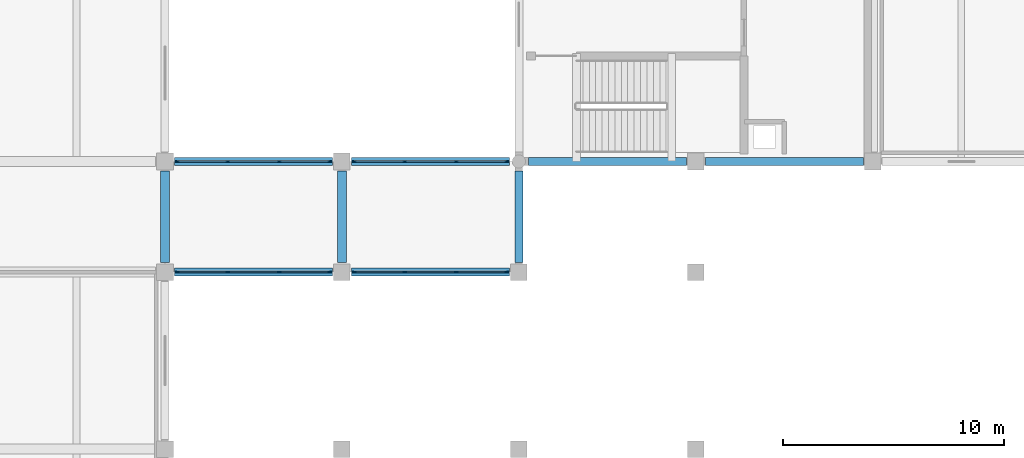
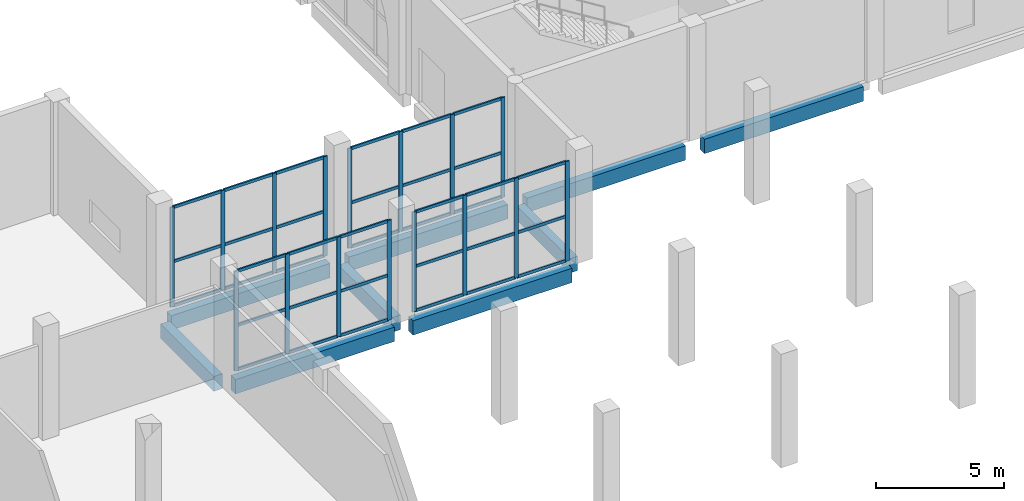
# One storey, part 5 of 40: 52 members, 9 beams, 4 elements without a shape of their own.
"""IFC4 building model written with IfcOpenShell, lengths in metres."""

import ifcopenshell
import ifcopenshell.guid

model = None  # the IFC model being written
_history = None  # IfcOwnerHistory: only IFC2X3 demands one
_inside = {}  # id of a spatial element -> (the spatial element, [elements in it])
_under = {}  # id of a project, library or spatial element -> (it, [spatial elements below it])
_declared = {}  # id of a project -> (the project, [libraries it declares])
_typed = {}  # id of a type object -> (the type object, [elements of that type])
_made_of = {}  # id of a material, layer set ... -> (it, [elements and type objects made of it])


def new_model(schema):
    """Start an empty IFC model of exactly this schema.

    Asked for "IFC4X3", IfcOpenShell would pick the latest addendum, in which some entities
    have other attributes; the version numbers below select the first issue.
    IFC2X3 requires an IfcOwnerHistory on every rooted entity: one is made here for all.
    """
    global model, _history
    if schema == "IFC4X3":
        model = ifcopenshell.file(schema_version=(4, 3, 0, 0))
    else:
        model = ifcopenshell.file(schema=schema)
    _inside.clear()
    _under.clear()
    _declared.clear()
    _typed.clear()
    _made_of.clear()
    _history = None
    if model.schema == "IFC2X3":
        org = make("IfcOrganization", Name="unknown")
        user = make(
            "IfcPersonAndOrganization",
            ThePerson=make("IfcPerson", FamilyName="unknown"),
            TheOrganization=org,
        )
        app = make(
            "IfcApplication",
            ApplicationDeveloper=org,
            Version="unknown",
            ApplicationFullName="unknown",
            ApplicationIdentifier="unknown",
        )
        _history = make(
            "IfcOwnerHistory",
            OwningUser=user,
            OwningApplication=app,
            ChangeAction="ADDED",
            CreationDate=0,
        )
    return model


def make(cls, **values):
    """One entity of the class cls with the attributes given. An attribute that is None is left unset."""
    return model.create_entity(
        cls, **{name: value for name, value in values.items() if value is not None}
    )


def rooted(cls, **values):
    """An entity with a GlobalId (a new one), such as an element, a storey or a relation."""
    return make(cls, GlobalId=ifcopenshell.guid.new(), OwnerHistory=_history, **values)


def si_unit(unit_type, name, prefix=None):
    """IfcSIUnit, for example si_unit("LENGTHUNIT", "METRE", prefix="MILLI")."""
    return make("IfcSIUnit", UnitType=unit_type, Prefix=prefix, Name=name)


def assignment(units):
    """IfcUnitAssignment: the units of a project."""
    return None if units is None else make("IfcUnitAssignment", Units=units)


def point(xyz):
    """IfcCartesianPoint."""
    return None if xyz is None else make("IfcCartesianPoint", Coordinates=xyz)


def direction(xyz):
    """IfcDirection."""
    return None if xyz is None else make("IfcDirection", DirectionRatios=xyz)


def frame(location, z_axis=None, x_axis=None):
    """IfcAxis2Placement3D, a coordinate frame: its origin and axes. An axis left out is left unset."""
    return make(
        "IfcAxis2Placement3D",
        Location=point(location),
        Axis=direction(z_axis),
        RefDirection=direction(x_axis),
    )


def frame_2d(location, x_axis=None):
    """IfcAxis2Placement2D, a coordinate frame in the plane: its origin and x axis."""
    return make(
        "IfcAxis2Placement2D", Location=point(location), RefDirection=direction(x_axis)
    )


def origin():
    """The frame at (0, 0, 0) with its axes left unset."""
    return frame((0.0, 0.0, 0.0))


def origin_2d():
    """The frame at (0, 0) in the plane with its x axis left unset."""
    return frame_2d((0.0, 0.0))


def place(relative_to, where):
    """IfcLocalPlacement: puts the frame where relative to a parent placement (None: the world)."""
    return make(
        "IfcLocalPlacement", PlacementRelTo=relative_to, RelativePlacement=where
    )


def context(
    kind, dimensions, precision=None, world=None, true_north=None, identifier=None
):
    """IfcGeometricRepresentationContext, for example the 3D "Model" context."""
    return make(
        "IfcGeometricRepresentationContext",
        ContextIdentifier=identifier,
        ContextType=kind,
        CoordinateSpaceDimension=dimensions,
        Precision=precision,
        WorldCoordinateSystem=world,
        TrueNorth=true_north,
    )


def subcontext(parent, identifier, kind, view, scale=None):
    """IfcGeometricRepresentationSubContext, for example "Body" below "Model"."""
    return make(
        "IfcGeometricRepresentationSubContext",
        ContextIdentifier=identifier,
        ContextType=kind,
        ParentContext=parent,
        TargetScale=scale,
        TargetView=view,
    )


def project(units=None, contexts=None):
    """IfcProject with its units and contexts."""
    return rooted(
        "IfcProject",
        Name="project",
        RepresentationContexts=contexts,
        UnitsInContext=assignment(units),
    )


def spatial(cls, under=None, at=None, **own):
    """A site, building, storey or space (cls), placed at a placement, below another one or the project."""
    s = rooted(cls, ObjectPlacement=at, **own)
    if under is not None:
        _under.setdefault(under.id(), (under, []))[1].append(s)
    return s


def profile(cls, at=None, kind="AREA", **sizes):
    """A parametric profile (cls). Its sizes go by their IFC names, for example OverallWidth=200.0."""
    return make(cls, ProfileType=kind, Position=at, **sizes)


def rectangle(**sizes):
    """IfcRectangleProfileDef."""
    return profile("IfcRectangleProfileDef", **sizes)


def extrude(swept, where, along, depth):
    """IfcExtrudedAreaSolid: the profile swept, set in the frame where, extruded along a direction by depth."""
    return make(
        "IfcExtrudedAreaSolid",
        SweptArea=swept,
        Position=where,
        ExtrudedDirection=direction(along),
        Depth=depth,
    )


def shape(context_of_items, identifier, shape_type, items):
    """IfcShapeRepresentation: the items that make up one representation, for example the "Body"."""
    return make(
        "IfcShapeRepresentation",
        ContextOfItems=context_of_items,
        RepresentationIdentifier=identifier,
        RepresentationType=shape_type,
        Items=items,
    )


def material(Name=None, Category=None):
    """IfcMaterial."""
    return make("IfcMaterial", Name=Name, Category=Category)


def layer(
    of_material, thickness, ventilated=None, Name=None, Category=None, Priority=None
):
    """IfcMaterialLayer: one layer of a wall or slab, of a material (None: an air gap)."""
    return make(
        "IfcMaterialLayer",
        Material=of_material,
        LayerThickness=thickness,
        IsVentilated=ventilated,
        Name=Name,
        Category=Category,
        Priority=Priority,
    )


def layer_set(layers, Name=None):
    """IfcMaterialLayerSet."""
    return make("IfcMaterialLayerSet", MaterialLayers=layers, LayerSetName=Name)


def material_profile(
    of_material, cross_section, Name=None, Category=None, Priority=None
):
    """IfcMaterialProfile: a cross section and its material."""
    return make(
        "IfcMaterialProfile",
        Name=Name,
        Material=of_material,
        Profile=cross_section,
        Priority=Priority,
        Category=Category,
    )


def profile_set(profiles, Name=None, composite=None):
    """IfcMaterialProfileSet."""
    return make(
        "IfcMaterialProfileSet",
        Name=Name,
        MaterialProfiles=profiles,
        CompositeProfile=composite,
    )


def made_of(thing, what):
    """Note that an element or type object is made of a material, layer set ...; save() writes the relation."""
    if what is not None:
        _made_of.setdefault(what.id(), (what, []))[1].append(thing)
    return thing


def type_object(cls, material=None, **own):
    """A type object (cls), such as IfcWallType, which elements share."""
    return made_of(rooted(cls, **own), material)


def element(
    cls,
    number,
    at=None,
    inside=None,
    cuts=None,
    type_object=None,
    material=None,
    context=None,
    identifier="Body",
    shape_type=None,
    held_by="IfcProductDefinitionShape",
    body=None,
    shapes=None,
    **own,
):
    """One element of the class cls, such as IfcWall. Its Tag is "e" and its number.

    at: its placement. inside: the storey or other place that contains it. cuts: it is an
    opening in that element (IfcRelVoidsElement). A single representation is given by context,
    identifier, shape_type and body (its items); several are given by shapes. held_by: the class
    of the entity that holds the representations. save() writes the other relations.
    """
    e = rooted(cls, Tag="e%d" % number, ObjectPlacement=at, **own)
    if body is not None:
        shapes = [shape(context, identifier, shape_type, body)]
    if shapes is not None:
        e.Representation = make(held_by, Representations=shapes)
    if inside is not None:
        _inside.setdefault(inside.id(), (inside, []))[1].append(e)
    if cuts is not None:
        rooted(
            "IfcRelVoidsElement", RelatingBuildingElement=cuts, RelatedOpeningElement=e
        )
    if type_object is not None:
        _typed.setdefault(type_object.id(), (type_object, []))[1].append(e)
    return made_of(e, material)


def aggregate(whole, parts):
    """IfcRelAggregates: a whole, such as a stair, and the parts it consists of."""
    return rooted("IfcRelAggregates", RelatingObject=whole, RelatedObjects=parts)


def save(model, path):
    """Write the relations noted so far, then the file.

    IfcRelAggregates (storeys below a building ...), IfcRelContainedInSpatialStructure (elements
    in a storey), IfcRelDefinesByType, IfcRelAssociatesMaterial and IfcRelDeclares: one each for
    every whole, place, type object, material and project.
    """
    for whole, parts in _under.values():
        aggregate(whole, parts)
    for where, things in _inside.values():
        rooted(
            "IfcRelContainedInSpatialStructure",
            RelatedElements=things,
            RelatingStructure=where,
        )
    for kind, things in _typed.values():
        rooted("IfcRelDefinesByType", RelatedObjects=things, RelatingType=kind)
    for what, things in _made_of.values():
        rooted("IfcRelAssociatesMaterial", RelatedObjects=things, RelatingMaterial=what)
    for by, libraries in _declared.values():
        rooted("IfcRelDeclares", RelatingContext=by, RelatedDefinitions=libraries)
    model.write(path)


model = new_model("IFC4")

# Units and contexts
model_context = context("Model", 3, precision=1e-05, world=origin(), true_north=direction((0.0, 1.0)))
body_context = subcontext(model_context, "Body", "Model", "MODEL_VIEW")
ifc_project = project(units=[si_unit("LENGTHUNIT", "METRE"), si_unit("AREAUNIT", "SQUARE_METRE"), si_unit("VOLUMEUNIT", "CUBIC_METRE"), si_unit("PLANEANGLEUNIT", "RADIAN"), si_unit("MASSUNIT", "GRAM", prefix="KILO")], contexts=[model_context])

# Site, building, storey
site_placement = place(None, origin())
site = spatial("IfcSite", under=ifc_project, at=site_placement, CompositionType="ELEMENT")
building_placement = place(site_placement, origin())
building = spatial("IfcBuilding", under=site, at=building_placement, Name="Qorikala Patio Media Centre", CompositionType="ELEMENT")
storey_placement = place(building_placement, origin())
storey = spatial("IfcBuildingStorey", under=building, at=storey_placement, Name="L00", CompositionType="ELEMENT", Elevation=0.0)

# Beams
ifc_material_1 = material(Name="Concrete C35/45", Category="concrete")
ifc_material_profile_1 = material_profile(ifc_material_1, rectangle(XDim=0.39990234375, YDim=0.699951171875, at=origin_2d()), Name="RC 400x700")
ifc_profile_set_1 = profile_set([ifc_material_profile_1], Name="Concrete C35/45")
beam_type_1 = type_object("IfcBeamType", Name="BM-G400X700", PredefinedType="BEAM", material=ifc_profile_set_1)
for number, where, z_axis, x_axis, name in (
    (1, (35.0, 59.425048828125, -0.64990234375), (0.0, 1.0, 0.0), (-1.0, 0.0, 0.0), "L00 Grid X=35 Beam 0220"),
    (2, (43.0, 59.425048828125, -0.64990234375), (0.0, 1.0, 0.0), (-1.0, 0.0, 0.0), "L00 Grid X=43 Beam 0226"),
):
    element("IfcBeam", number, at=place(storey_placement, frame(where, z_axis=z_axis, x_axis=x_axis)), inside=storey, type_object=beam_type_1, Name=name, PredefinedType="BEAM", context=body_context, shape_type="SweptSolid", body=[
        extrude(rectangle(XDim=0.39990234375, YDim=0.699951171875, at=origin_2d()), origin(), (0.0, 0.0, 1.0), 4.14990234375),
    ])

# Curtain wall, members
ifc_material_2 = material(Name="Bronze Anodised Aluminium and Low-E Glass", Category="aluminium")
ifc_layer = layer(ifc_material_2, 0.159912109375)
ifc_layer_set = layer_set([ifc_layer], Name="Bronze Anodised Aluminium and Low-E Glass")
curtain_wall_type = type_object("IfcCurtainWallType", Name="CW-ARC-696X475", PredefinedType="USERDEFINED", material=ifc_layer_set)
curtain_wall_1_placement = place(storey_placement, origin())
curtain_wall_1 = element("IfcCurtainWall", 3, at=curtain_wall_1_placement, inside=storey, type_object=curtain_wall_type, Name="L00 Courtyard Curtain Wall 006", ObjectType="COURTYARD CURTAIN WALL", PredefinedType="USERDEFINED")
ifc_material_3 = material(Name="Bronze Anodised Aluminium", Category="aluminium")
ifc_material_profile_2 = material_profile(ifc_material_3, rectangle(XDim=0.070068359375, YDim=0.179931640625, at=origin_2d()), Name="ALU MULLION 70x180")
ifc_profile_set_2 = profile_set([ifc_material_profile_2], Name="Bronze Anodised Aluminium")
member_type_1 = type_object("IfcMemberType", Name="CWM-70X180", PredefinedType="MULLION", material=ifc_profile_set_2)
member_1_placement = place(storey_placement, frame((35.554931640625, 64.0, 0.0), z_axis=(0.0, 0.0, 1.0), x_axis=(0.0, 1.0, 0.0)))
member_1 = element("IfcMember", 4, at=member_1_placement, type_object=member_type_1, Name="CWA696475 mullion 1", PredefinedType="MULLION", context=body_context, shape_type="SweptSolid", body=[
    extrude(rectangle(XDim=0.070068359375, YDim=0.179931640625, at=origin_2d()), origin(), (0.0, 0.0, 1.0), 4.75),
])
member_2_placement = place(storey_placement, frame((37.840087890625, 64.0, 0.0), z_axis=(0.0, 0.0, 1.0), x_axis=(0.0, 1.0, 0.0)))
member_2 = element("IfcMember", 5, at=member_2_placement, type_object=member_type_1, Name="CWA696475 mullion 2", PredefinedType="MULLION", context=body_context, shape_type="SweptSolid", body=[
    extrude(rectangle(XDim=0.070068359375, YDim=0.179931640625, at=origin_2d()), origin(), (0.0, 0.0, 1.0), 4.75),
])
member_3_placement = place(storey_placement, frame((40.159912109375, 64.0, 0.0), z_axis=(0.0, 0.0, 1.0), x_axis=(0.0, 1.0, 0.0)))
member_3 = element("IfcMember", 6, at=member_3_placement, type_object=member_type_1, Name="CWA696475 mullion 3", PredefinedType="MULLION", context=body_context, shape_type="SweptSolid", body=[
    extrude(rectangle(XDim=0.070068359375, YDim=0.179931640625, at=origin_2d()), origin(), (0.0, 0.0, 1.0), 4.75),
])
member_4_placement = place(storey_placement, frame((42.445068359375, 64.0, 0.0), z_axis=(0.0, 0.0, 1.0), x_axis=(0.0, 1.0, 0.0)))
member_4 = element("IfcMember", 7, at=member_4_placement, type_object=member_type_1, Name="CWA696475 mullion 4", PredefinedType="MULLION", context=body_context, shape_type="SweptSolid", body=[
    extrude(rectangle(XDim=0.070068359375, YDim=0.179931640625, at=origin_2d()), origin(), (0.0, 0.0, 1.0), 4.75),
])

curtain_wall_2_placement = place(storey_placement, origin())
curtain_wall_2 = element("IfcCurtainWall", 8, at=curtain_wall_2_placement, inside=storey, type_object=curtain_wall_type, Name="L00 Courtyard Curtain Wall 007", ObjectType="COURTYARD CURTAIN WALL", PredefinedType="USERDEFINED")
member_5_placement = place(storey_placement, frame((43.554931640625, 64.0, 0.0), z_axis=(0.0, 0.0, 1.0), x_axis=(0.0, 1.0, 0.0)))
member_5 = element("IfcMember", 9, at=member_5_placement, type_object=member_type_1, Name="CWA696475 mullion 1", PredefinedType="MULLION", context=body_context, shape_type="SweptSolid", body=[
    extrude(rectangle(XDim=0.070068359375, YDim=0.179931640625, at=origin_2d()), origin(), (0.0, 0.0, 1.0), 4.75),
])
member_6_placement = place(storey_placement, frame((45.840087890625, 64.0, 0.0), z_axis=(0.0, 0.0, 1.0), x_axis=(0.0, 1.0, 0.0)))
member_6 = element("IfcMember", 10, at=member_6_placement, type_object=member_type_1, Name="CWA696475 mullion 2", PredefinedType="MULLION", context=body_context, shape_type="SweptSolid", body=[
    extrude(rectangle(XDim=0.070068359375, YDim=0.179931640625, at=origin_2d()), origin(), (0.0, 0.0, 1.0), 4.75),
])
member_7_placement = place(storey_placement, frame((48.159912109375, 64.0, 0.0), z_axis=(0.0, 0.0, 1.0), x_axis=(0.0, 1.0, 0.0)))
member_7 = element("IfcMember", 11, at=member_7_placement, type_object=member_type_1, Name="CWA696475 mullion 3", PredefinedType="MULLION", context=body_context, shape_type="SweptSolid", body=[
    extrude(rectangle(XDim=0.070068359375, YDim=0.179931640625, at=origin_2d()), origin(), (0.0, 0.0, 1.0), 4.75),
])
member_8_placement = place(storey_placement, frame((50.445068359375, 64.0, 0.0), z_axis=(0.0, 0.0, 1.0), x_axis=(0.0, 1.0, 0.0)))
member_8 = element("IfcMember", 12, at=member_8_placement, type_object=member_type_1, Name="CWA696475 mullion 4", PredefinedType="MULLION", context=body_context, shape_type="SweptSolid", body=[
    extrude(rectangle(XDim=0.070068359375, YDim=0.179931640625, at=origin_2d()), origin(), (0.0, 0.0, 1.0), 4.75),
])

curtain_wall_3_placement = place(storey_placement, origin())
curtain_wall_3 = element("IfcCurtainWall", 13, at=curtain_wall_3_placement, inside=storey, type_object=curtain_wall_type, Name="L00 Courtyard Curtain Wall 008", ObjectType="COURTYARD CURTAIN WALL", PredefinedType="USERDEFINED")
member_9_placement = place(storey_placement, frame((50.445068359375, 59.0, 0.0), z_axis=(0.0, 0.0, 1.0), x_axis=(0.0, -1.0, 0.0)))
member_9 = element("IfcMember", 14, at=member_9_placement, type_object=member_type_1, Name="CWA696475 mullion 1", PredefinedType="MULLION", context=body_context, shape_type="SweptSolid", body=[
    extrude(rectangle(XDim=0.070068359375, YDim=0.179931640625, at=origin_2d()), origin(), (0.0, 0.0, 1.0), 4.75),
])
member_10_placement = place(storey_placement, frame((48.159912109375, 59.0, 0.0), z_axis=(0.0, 0.0, 1.0), x_axis=(0.0, -1.0, 0.0)))
member_10 = element("IfcMember", 15, at=member_10_placement, type_object=member_type_1, Name="CWA696475 mullion 2", PredefinedType="MULLION", context=body_context, shape_type="SweptSolid", body=[
    extrude(rectangle(XDim=0.070068359375, YDim=0.179931640625, at=origin_2d()), origin(), (0.0, 0.0, 1.0), 4.75),
])
member_11_placement = place(storey_placement, frame((45.840087890625, 59.0, 0.0), z_axis=(0.0, 0.0, 1.0), x_axis=(0.0, -1.0, 0.0)))
member_11 = element("IfcMember", 16, at=member_11_placement, type_object=member_type_1, Name="CWA696475 mullion 3", PredefinedType="MULLION", context=body_context, shape_type="SweptSolid", body=[
    extrude(rectangle(XDim=0.070068359375, YDim=0.179931640625, at=origin_2d()), origin(), (0.0, 0.0, 1.0), 4.75),
])
member_12_placement = place(storey_placement, frame((43.554931640625, 59.0, 0.0), z_axis=(0.0, 0.0, 1.0), x_axis=(0.0, -1.0, 0.0)))
member_12 = element("IfcMember", 17, at=member_12_placement, type_object=member_type_1, Name="CWA696475 mullion 4", PredefinedType="MULLION", context=body_context, shape_type="SweptSolid", body=[
    extrude(rectangle(XDim=0.070068359375, YDim=0.179931640625, at=origin_2d()), origin(), (0.0, 0.0, 1.0), 4.75),
])

curtain_wall_4_placement = place(storey_placement, origin())
curtain_wall_4 = element("IfcCurtainWall", 18, at=curtain_wall_4_placement, inside=storey, type_object=curtain_wall_type, Name="L00 Courtyard Curtain Wall 009", ObjectType="COURTYARD CURTAIN WALL", PredefinedType="USERDEFINED")
member_13_placement = place(storey_placement, frame((42.445068359375, 59.0, 0.0), z_axis=(0.0, 0.0, 1.0), x_axis=(0.0, -1.0, 0.0)))
member_13 = element("IfcMember", 19, at=member_13_placement, type_object=member_type_1, Name="CWA696475 mullion 1", PredefinedType="MULLION", context=body_context, shape_type="SweptSolid", body=[
    extrude(rectangle(XDim=0.070068359375, YDim=0.179931640625, at=origin_2d()), origin(), (0.0, 0.0, 1.0), 4.75),
])
member_14_placement = place(storey_placement, frame((40.159912109375, 59.0, 0.0), z_axis=(0.0, 0.0, 1.0), x_axis=(0.0, -1.0, 0.0)))
member_14 = element("IfcMember", 20, at=member_14_placement, type_object=member_type_1, Name="CWA696475 mullion 2", PredefinedType="MULLION", context=body_context, shape_type="SweptSolid", body=[
    extrude(rectangle(XDim=0.070068359375, YDim=0.179931640625, at=origin_2d()), origin(), (0.0, 0.0, 1.0), 4.75),
])
member_15_placement = place(storey_placement, frame((37.840087890625, 59.0, 0.0), z_axis=(0.0, 0.0, 1.0), x_axis=(0.0, -1.0, 0.0)))
member_15 = element("IfcMember", 21, at=member_15_placement, type_object=member_type_1, Name="CWA696475 mullion 3", PredefinedType="MULLION", context=body_context, shape_type="SweptSolid", body=[
    extrude(rectangle(XDim=0.070068359375, YDim=0.179931640625, at=origin_2d()), origin(), (0.0, 0.0, 1.0), 4.75),
])
member_16_placement = place(storey_placement, frame((35.554931640625, 59.0, 0.0), z_axis=(0.0, 0.0, 1.0), x_axis=(0.0, -1.0, 0.0)))
member_16 = element("IfcMember", 22, at=member_16_placement, type_object=member_type_1, Name="CWA696475 mullion 4", PredefinedType="MULLION", context=body_context, shape_type="SweptSolid", body=[
    extrude(rectangle(XDim=0.070068359375, YDim=0.179931640625, at=origin_2d()), origin(), (0.0, 0.0, 1.0), 4.75),
])

# Member
ifc_material_profile_3 = material_profile(ifc_material_3, rectangle(XDim=0.070068359375, YDim=0.139892578125, at=origin_2d()), Name="ALU TRANSOM 70x140")
ifc_profile_set_3 = profile_set([ifc_material_profile_3], Name="Bronze Anodised Aluminium")
member_type_2 = type_object("IfcMemberType", Name="CWT-70X140", PredefinedType="USERDEFINED", material=ifc_profile_set_3)
member_17_placement = place(storey_placement, frame((35.590087890625, 64.0, 0.034912109375), z_axis=(1.0, 0.0, 0.0), x_axis=(0.0, 1.0, 0.0)))
member_17 = element("IfcMember", 23, at=member_17_placement, type_object=member_type_2, Name="CWA696475 transom 1.1", ObjectType="TRANSOM", PredefinedType="USERDEFINED", context=body_context, shape_type="SweptSolid", body=[
    extrude(rectangle(XDim=0.070068359375, YDim=0.139892578125, at=origin_2d()), origin(), (0.0, 0.0, 1.0), 2.21484375),
])

member_18_placement = place(storey_placement, frame((35.590087890625, 64.0, 2.137451171875), z_axis=(1.0, 0.0, 0.0), x_axis=(0.0, 1.0, 0.0)))
member_18 = element("IfcMember", 24, at=member_18_placement, type_object=member_type_2, Name="CWA696475 transom 1.2", ObjectType="TRANSOM", PredefinedType="USERDEFINED", context=body_context, shape_type="SweptSolid", body=[
    extrude(rectangle(XDim=0.070068359375, YDim=0.139892578125, at=origin_2d()), origin(), (0.0, 0.0, 1.0), 2.21484375),
])

member_19_placement = place(storey_placement, frame((35.590087890625, 64.0, 4.715087890625), z_axis=(1.0, 0.0, 0.0), x_axis=(0.0, 1.0, 0.0)))
member_19 = element("IfcMember", 25, at=member_19_placement, type_object=member_type_2, Name="CWA696475 transom 1.3", ObjectType="TRANSOM", PredefinedType="USERDEFINED", context=body_context, shape_type="SweptSolid", body=[
    extrude(rectangle(XDim=0.070068359375, YDim=0.139892578125, at=origin_2d()), origin(), (0.0, 0.0, 1.0), 2.21484375),
])

member_20_placement = place(storey_placement, frame((37.875, 64.0, 0.034912109375), z_axis=(1.0, 0.0, 0.0), x_axis=(0.0, 1.0, 0.0)))
member_20 = element("IfcMember", 26, at=member_20_placement, type_object=member_type_2, Name="CWA696475 transom 2.1", ObjectType="TRANSOM", PredefinedType="USERDEFINED", context=body_context, shape_type="SweptSolid", body=[
    extrude(rectangle(XDim=0.070068359375, YDim=0.139892578125, at=origin_2d()), origin(), (0.0, 0.0, 1.0), 2.25),
])

member_21_placement = place(storey_placement, frame((37.875, 64.0, 2.137451171875), z_axis=(1.0, 0.0, 0.0), x_axis=(0.0, 1.0, 0.0)))
member_21 = element("IfcMember", 27, at=member_21_placement, type_object=member_type_2, Name="CWA696475 transom 2.2", ObjectType="TRANSOM", PredefinedType="USERDEFINED", context=body_context, shape_type="SweptSolid", body=[
    extrude(rectangle(XDim=0.070068359375, YDim=0.139892578125, at=origin_2d()), origin(), (0.0, 0.0, 1.0), 2.25),
])

member_22_placement = place(storey_placement, frame((37.875, 64.0, 4.715087890625), z_axis=(1.0, 0.0, 0.0), x_axis=(0.0, 1.0, 0.0)))
member_22 = element("IfcMember", 28, at=member_22_placement, type_object=member_type_2, Name="CWA696475 transom 2.3", ObjectType="TRANSOM", PredefinedType="USERDEFINED", context=body_context, shape_type="SweptSolid", body=[
    extrude(rectangle(XDim=0.070068359375, YDim=0.139892578125, at=origin_2d()), origin(), (0.0, 0.0, 1.0), 2.25),
])

member_23_placement = place(storey_placement, frame((40.195068359375, 64.0, 0.034912109375), z_axis=(1.0, 0.0, 0.0), x_axis=(0.0, 1.0, 0.0)))
member_23 = element("IfcMember", 29, at=member_23_placement, type_object=member_type_2, Name="CWA696475 transom 3.1", ObjectType="TRANSOM", PredefinedType="USERDEFINED", context=body_context, shape_type="SweptSolid", body=[
    extrude(rectangle(XDim=0.070068359375, YDim=0.139892578125, at=origin_2d()), origin(), (0.0, 0.0, 1.0), 2.21484375),
])

member_24_placement = place(storey_placement, frame((40.195068359375, 64.0, 2.137451171875), z_axis=(1.0, 0.0, 0.0), x_axis=(0.0, 1.0, 0.0)))
member_24 = element("IfcMember", 30, at=member_24_placement, type_object=member_type_2, Name="CWA696475 transom 3.2", ObjectType="TRANSOM", PredefinedType="USERDEFINED", context=body_context, shape_type="SweptSolid", body=[
    extrude(rectangle(XDim=0.070068359375, YDim=0.139892578125, at=origin_2d()), origin(), (0.0, 0.0, 1.0), 2.21484375),
])

member_25_placement = place(storey_placement, frame((40.195068359375, 64.0, 4.715087890625), z_axis=(1.0, 0.0, 0.0), x_axis=(0.0, 1.0, 0.0)))
member_25 = element("IfcMember", 31, at=member_25_placement, type_object=member_type_2, Name="CWA696475 transom 3.3", ObjectType="TRANSOM", PredefinedType="USERDEFINED", context=body_context, shape_type="SweptSolid", body=[
    extrude(rectangle(XDim=0.070068359375, YDim=0.139892578125, at=origin_2d()), origin(), (0.0, 0.0, 1.0), 2.21484375),
])

aggregate(curtain_wall_1, [member_1, member_2, member_3, member_4, member_17, member_18, member_19, member_20, member_21, member_22, member_23, member_24, member_25])

member_26_placement = place(storey_placement, frame((43.590087890625, 64.0, 0.034912109375), z_axis=(1.0, 0.0, 0.0), x_axis=(0.0, 1.0, 0.0)))
member_26 = element("IfcMember", 32, at=member_26_placement, type_object=member_type_2, Name="CWA696475 transom 1.1", ObjectType="TRANSOM", PredefinedType="USERDEFINED", context=body_context, shape_type="SweptSolid", body=[
    extrude(rectangle(XDim=0.070068359375, YDim=0.139892578125, at=origin_2d()), origin(), (0.0, 0.0, 1.0), 2.21484375),
])

member_27_placement = place(storey_placement, frame((43.590087890625, 64.0, 2.137451171875), z_axis=(1.0, 0.0, 0.0), x_axis=(0.0, 1.0, 0.0)))
member_27 = element("IfcMember", 33, at=member_27_placement, type_object=member_type_2, Name="CWA696475 transom 1.2", ObjectType="TRANSOM", PredefinedType="USERDEFINED", context=body_context, shape_type="SweptSolid", body=[
    extrude(rectangle(XDim=0.070068359375, YDim=0.139892578125, at=origin_2d()), origin(), (0.0, 0.0, 1.0), 2.21484375),
])

member_28_placement = place(storey_placement, frame((43.590087890625, 64.0, 4.715087890625), z_axis=(1.0, 0.0, 0.0), x_axis=(0.0, 1.0, 0.0)))
member_28 = element("IfcMember", 34, at=member_28_placement, type_object=member_type_2, Name="CWA696475 transom 1.3", ObjectType="TRANSOM", PredefinedType="USERDEFINED", context=body_context, shape_type="SweptSolid", body=[
    extrude(rectangle(XDim=0.070068359375, YDim=0.139892578125, at=origin_2d()), origin(), (0.0, 0.0, 1.0), 2.21484375),
])

member_29_placement = place(storey_placement, frame((45.875, 64.0, 0.034912109375), z_axis=(1.0, 0.0, 0.0), x_axis=(0.0, 1.0, 0.0)))
member_29 = element("IfcMember", 35, at=member_29_placement, type_object=member_type_2, Name="CWA696475 transom 2.1", ObjectType="TRANSOM", PredefinedType="USERDEFINED", context=body_context, shape_type="SweptSolid", body=[
    extrude(rectangle(XDim=0.070068359375, YDim=0.139892578125, at=origin_2d()), origin(), (0.0, 0.0, 1.0), 2.25),
])

member_30_placement = place(storey_placement, frame((45.875, 64.0, 2.137451171875), z_axis=(1.0, 0.0, 0.0), x_axis=(0.0, 1.0, 0.0)))
member_30 = element("IfcMember", 36, at=member_30_placement, type_object=member_type_2, Name="CWA696475 transom 2.2", ObjectType="TRANSOM", PredefinedType="USERDEFINED", context=body_context, shape_type="SweptSolid", body=[
    extrude(rectangle(XDim=0.070068359375, YDim=0.139892578125, at=origin_2d()), origin(), (0.0, 0.0, 1.0), 2.25),
])

member_31_placement = place(storey_placement, frame((45.875, 64.0, 4.715087890625), z_axis=(1.0, 0.0, 0.0), x_axis=(0.0, 1.0, 0.0)))
member_31 = element("IfcMember", 37, at=member_31_placement, type_object=member_type_2, Name="CWA696475 transom 2.3", ObjectType="TRANSOM", PredefinedType="USERDEFINED", context=body_context, shape_type="SweptSolid", body=[
    extrude(rectangle(XDim=0.070068359375, YDim=0.139892578125, at=origin_2d()), origin(), (0.0, 0.0, 1.0), 2.25),
])

member_32_placement = place(storey_placement, frame((48.195068359375, 64.0, 0.034912109375), z_axis=(1.0, 0.0, 0.0), x_axis=(0.0, 1.0, 0.0)))
member_32 = element("IfcMember", 38, at=member_32_placement, type_object=member_type_2, Name="CWA696475 transom 3.1", ObjectType="TRANSOM", PredefinedType="USERDEFINED", context=body_context, shape_type="SweptSolid", body=[
    extrude(rectangle(XDim=0.070068359375, YDim=0.139892578125, at=origin_2d()), origin(), (0.0, 0.0, 1.0), 2.21484375),
])

member_33_placement = place(storey_placement, frame((48.195068359375, 64.0, 2.137451171875), z_axis=(1.0, 0.0, 0.0), x_axis=(0.0, 1.0, 0.0)))
member_33 = element("IfcMember", 39, at=member_33_placement, type_object=member_type_2, Name="CWA696475 transom 3.2", ObjectType="TRANSOM", PredefinedType="USERDEFINED", context=body_context, shape_type="SweptSolid", body=[
    extrude(rectangle(XDim=0.070068359375, YDim=0.139892578125, at=origin_2d()), origin(), (0.0, 0.0, 1.0), 2.21484375),
])

member_34_placement = place(storey_placement, frame((48.195068359375, 64.0, 4.715087890625), z_axis=(1.0, 0.0, 0.0), x_axis=(0.0, 1.0, 0.0)))
member_34 = element("IfcMember", 40, at=member_34_placement, type_object=member_type_2, Name="CWA696475 transom 3.3", ObjectType="TRANSOM", PredefinedType="USERDEFINED", context=body_context, shape_type="SweptSolid", body=[
    extrude(rectangle(XDim=0.070068359375, YDim=0.139892578125, at=origin_2d()), origin(), (0.0, 0.0, 1.0), 2.21484375),
])

aggregate(curtain_wall_2, [member_5, member_6, member_7, member_8, member_26, member_27, member_28, member_29, member_30, member_31, member_32, member_33, member_34])

member_35_placement = place(storey_placement, frame((50.409912109375, 59.0, 0.034912109375), z_axis=(-1.0, 0.0, 0.0), x_axis=(0.0, -1.0, 0.0)))
member_35 = element("IfcMember", 41, at=member_35_placement, type_object=member_type_2, Name="CWA696475 transom 1.1", ObjectType="TRANSOM", PredefinedType="USERDEFINED", context=body_context, shape_type="SweptSolid", body=[
    extrude(rectangle(XDim=0.070068359375, YDim=0.139892578125, at=origin_2d()), origin(), (0.0, 0.0, 1.0), 2.21484375),
])

member_36_placement = place(storey_placement, frame((50.409912109375, 59.0, 2.137451171875), z_axis=(-1.0, 0.0, 0.0), x_axis=(0.0, -1.0, 0.0)))
member_36 = element("IfcMember", 42, at=member_36_placement, type_object=member_type_2, Name="CWA696475 transom 1.2", ObjectType="TRANSOM", PredefinedType="USERDEFINED", context=body_context, shape_type="SweptSolid", body=[
    extrude(rectangle(XDim=0.070068359375, YDim=0.139892578125, at=origin_2d()), origin(), (0.0, 0.0, 1.0), 2.21484375),
])

member_37_placement = place(storey_placement, frame((50.409912109375, 59.0, 4.715087890625), z_axis=(-1.0, 0.0, 0.0), x_axis=(0.0, -1.0, 0.0)))
member_37 = element("IfcMember", 43, at=member_37_placement, type_object=member_type_2, Name="CWA696475 transom 1.3", ObjectType="TRANSOM", PredefinedType="USERDEFINED", context=body_context, shape_type="SweptSolid", body=[
    extrude(rectangle(XDim=0.070068359375, YDim=0.139892578125, at=origin_2d()), origin(), (0.0, 0.0, 1.0), 2.21484375),
])

member_38_placement = place(storey_placement, frame((48.125, 59.0, 0.034912109375), z_axis=(-1.0, 0.0, 0.0), x_axis=(0.0, -1.0, 0.0)))
member_38 = element("IfcMember", 44, at=member_38_placement, type_object=member_type_2, Name="CWA696475 transom 2.1", ObjectType="TRANSOM", PredefinedType="USERDEFINED", context=body_context, shape_type="SweptSolid", body=[
    extrude(rectangle(XDim=0.070068359375, YDim=0.139892578125, at=origin_2d()), origin(), (0.0, 0.0, 1.0), 2.25),
])

member_39_placement = place(storey_placement, frame((48.125, 59.0, 2.137451171875), z_axis=(-1.0, 0.0, 0.0), x_axis=(0.0, -1.0, 0.0)))
member_39 = element("IfcMember", 45, at=member_39_placement, type_object=member_type_2, Name="CWA696475 transom 2.2", ObjectType="TRANSOM", PredefinedType="USERDEFINED", context=body_context, shape_type="SweptSolid", body=[
    extrude(rectangle(XDim=0.070068359375, YDim=0.139892578125, at=origin_2d()), origin(), (0.0, 0.0, 1.0), 2.25),
])

member_40_placement = place(storey_placement, frame((48.125, 59.0, 4.715087890625), z_axis=(-1.0, 0.0, 0.0), x_axis=(0.0, -1.0, 0.0)))
member_40 = element("IfcMember", 46, at=member_40_placement, type_object=member_type_2, Name="CWA696475 transom 2.3", ObjectType="TRANSOM", PredefinedType="USERDEFINED", context=body_context, shape_type="SweptSolid", body=[
    extrude(rectangle(XDim=0.070068359375, YDim=0.139892578125, at=origin_2d()), origin(), (0.0, 0.0, 1.0), 2.25),
])

member_41_placement = place(storey_placement, frame((45.804931640625, 59.0, 0.034912109375), z_axis=(-1.0, 0.0, 0.0), x_axis=(0.0, -1.0, 0.0)))
member_41 = element("IfcMember", 47, at=member_41_placement, type_object=member_type_2, Name="CWA696475 transom 3.1", ObjectType="TRANSOM", PredefinedType="USERDEFINED", context=body_context, shape_type="SweptSolid", body=[
    extrude(rectangle(XDim=0.070068359375, YDim=0.139892578125, at=origin_2d()), origin(), (0.0, 0.0, 1.0), 2.21484375),
])

member_42_placement = place(storey_placement, frame((45.804931640625, 59.0, 2.137451171875), z_axis=(-1.0, 0.0, 0.0), x_axis=(0.0, -1.0, 0.0)))
member_42 = element("IfcMember", 48, at=member_42_placement, type_object=member_type_2, Name="CWA696475 transom 3.2", ObjectType="TRANSOM", PredefinedType="USERDEFINED", context=body_context, shape_type="SweptSolid", body=[
    extrude(rectangle(XDim=0.070068359375, YDim=0.139892578125, at=origin_2d()), origin(), (0.0, 0.0, 1.0), 2.21484375),
])

member_43_placement = place(storey_placement, frame((45.804931640625, 59.0, 4.715087890625), z_axis=(-1.0, 0.0, 0.0), x_axis=(0.0, -1.0, 0.0)))
member_43 = element("IfcMember", 49, at=member_43_placement, type_object=member_type_2, Name="CWA696475 transom 3.3", ObjectType="TRANSOM", PredefinedType="USERDEFINED", context=body_context, shape_type="SweptSolid", body=[
    extrude(rectangle(XDim=0.070068359375, YDim=0.139892578125, at=origin_2d()), origin(), (0.0, 0.0, 1.0), 2.21484375),
])

aggregate(curtain_wall_3, [member_9, member_10, member_11, member_12, member_35, member_36, member_37, member_38, member_39, member_40, member_41, member_42, member_43])

member_44_placement = place(storey_placement, frame((42.409912109375, 59.0, 0.034912109375), z_axis=(-1.0, 0.0, 0.0), x_axis=(0.0, -1.0, 0.0)))
member_44 = element("IfcMember", 50, at=member_44_placement, type_object=member_type_2, Name="CWA696475 transom 1.1", ObjectType="TRANSOM", PredefinedType="USERDEFINED", context=body_context, shape_type="SweptSolid", body=[
    extrude(rectangle(XDim=0.070068359375, YDim=0.139892578125, at=origin_2d()), origin(), (0.0, 0.0, 1.0), 2.21484375),
])

member_45_placement = place(storey_placement, frame((42.409912109375, 59.0, 2.137451171875), z_axis=(-1.0, 0.0, 0.0), x_axis=(0.0, -1.0, 0.0)))
member_45 = element("IfcMember", 51, at=member_45_placement, type_object=member_type_2, Name="CWA696475 transom 1.2", ObjectType="TRANSOM", PredefinedType="USERDEFINED", context=body_context, shape_type="SweptSolid", body=[
    extrude(rectangle(XDim=0.070068359375, YDim=0.139892578125, at=origin_2d()), origin(), (0.0, 0.0, 1.0), 2.21484375),
])

member_46_placement = place(storey_placement, frame((42.409912109375, 59.0, 4.715087890625), z_axis=(-1.0, 0.0, 0.0), x_axis=(0.0, -1.0, 0.0)))
member_46 = element("IfcMember", 52, at=member_46_placement, type_object=member_type_2, Name="CWA696475 transom 1.3", ObjectType="TRANSOM", PredefinedType="USERDEFINED", context=body_context, shape_type="SweptSolid", body=[
    extrude(rectangle(XDim=0.070068359375, YDim=0.139892578125, at=origin_2d()), origin(), (0.0, 0.0, 1.0), 2.21484375),
])

member_47_placement = place(storey_placement, frame((40.125, 59.0, 0.034912109375), z_axis=(-1.0, 0.0, 0.0), x_axis=(0.0, -1.0, 0.0)))
member_47 = element("IfcMember", 53, at=member_47_placement, type_object=member_type_2, Name="CWA696475 transom 2.1", ObjectType="TRANSOM", PredefinedType="USERDEFINED", context=body_context, shape_type="SweptSolid", body=[
    extrude(rectangle(XDim=0.070068359375, YDim=0.139892578125, at=origin_2d()), origin(), (0.0, 0.0, 1.0), 2.25),
])

member_48_placement = place(storey_placement, frame((40.125, 59.0, 2.137451171875), z_axis=(-1.0, 0.0, 0.0), x_axis=(0.0, -1.0, 0.0)))
member_48 = element("IfcMember", 54, at=member_48_placement, type_object=member_type_2, Name="CWA696475 transom 2.2", ObjectType="TRANSOM", PredefinedType="USERDEFINED", context=body_context, shape_type="SweptSolid", body=[
    extrude(rectangle(XDim=0.070068359375, YDim=0.139892578125, at=origin_2d()), origin(), (0.0, 0.0, 1.0), 2.25),
])

member_49_placement = place(storey_placement, frame((40.125, 59.0, 4.715087890625), z_axis=(-1.0, 0.0, 0.0), x_axis=(0.0, -1.0, 0.0)))
member_49 = element("IfcMember", 55, at=member_49_placement, type_object=member_type_2, Name="CWA696475 transom 2.3", ObjectType="TRANSOM", PredefinedType="USERDEFINED", context=body_context, shape_type="SweptSolid", body=[
    extrude(rectangle(XDim=0.070068359375, YDim=0.139892578125, at=origin_2d()), origin(), (0.0, 0.0, 1.0), 2.25),
])

member_50_placement = place(storey_placement, frame((37.804931640625, 59.0, 0.034912109375), z_axis=(-1.0, 0.0, 0.0), x_axis=(0.0, -1.0, 0.0)))
member_50 = element("IfcMember", 56, at=member_50_placement, type_object=member_type_2, Name="CWA696475 transom 3.1", ObjectType="TRANSOM", PredefinedType="USERDEFINED", context=body_context, shape_type="SweptSolid", body=[
    extrude(rectangle(XDim=0.070068359375, YDim=0.139892578125, at=origin_2d()), origin(), (0.0, 0.0, 1.0), 2.21484375),
])

member_51_placement = place(storey_placement, frame((37.804931640625, 59.0, 2.137451171875), z_axis=(-1.0, 0.0, 0.0), x_axis=(0.0, -1.0, 0.0)))
member_51 = element("IfcMember", 57, at=member_51_placement, type_object=member_type_2, Name="CWA696475 transom 3.2", ObjectType="TRANSOM", PredefinedType="USERDEFINED", context=body_context, shape_type="SweptSolid", body=[
    extrude(rectangle(XDim=0.070068359375, YDim=0.139892578125, at=origin_2d()), origin(), (0.0, 0.0, 1.0), 2.21484375),
])

member_52_placement = place(storey_placement, frame((37.804931640625, 59.0, 4.715087890625), z_axis=(-1.0, 0.0, 0.0), x_axis=(0.0, -1.0, 0.0)))
member_52 = element("IfcMember", 58, at=member_52_placement, type_object=member_type_2, Name="CWA696475 transom 3.3", ObjectType="TRANSOM", PredefinedType="USERDEFINED", context=body_context, shape_type="SweptSolid", body=[
    extrude(rectangle(XDim=0.070068359375, YDim=0.139892578125, at=origin_2d()), origin(), (0.0, 0.0, 1.0), 2.21484375),
])

aggregate(curtain_wall_4, [member_13, member_14, member_15, member_16, member_44, member_45, member_46, member_47, member_48, member_49, member_50, member_51, member_52])

# Beams
ifc_material_profile_4 = material_profile(ifc_material_1, rectangle(XDim=0.35009765625, YDim=0.679931640625, at=origin_2d()), Name="RC 350x680")
ifc_profile_set_4 = profile_set([ifc_material_profile_4], Name="Concrete C35/45")
beam_type_2 = type_object("IfcBeamType", Name="SP-350X680", PredefinedType="SPANDREL", material=ifc_profile_set_4)
for number, where, z_axis, x_axis, name in (
    (59, (35.425048828125, 59.0, -0.639892578125), (1.0, 0.0, 0.0), (0.0, 1.0, 0.0), "L00 Grid 59 Beam 0106"),
    (60, (43.425048828125, 59.0, -0.639892578125), (1.0, 0.0, 0.0), (0.0, 1.0, 0.0), "L00 Grid 59 Beam 0107"),
    (61, (35.425048828125, 64.0, -0.639892578125), (1.0, 0.0, 0.0), (0.0, 1.0, 0.0), "L00 Grid 64 Beam 0112"),
    (62, (43.425048828125, 64.0, -0.639892578125), (1.0, 0.0, 0.0), (0.0, 1.0, 0.0), "L00 Grid 64 Beam 0113"),
    (63, (51.425048828125, 64.0, -0.639892578125), (1.0, 0.0, 0.0), (0.0, 1.0, 0.0), "L00 Grid 64 Beam 0114"),
    (64, (59.425048828125, 64.0, -0.639892578125), (1.0, 0.0, 0.0), (0.0, 1.0, 0.0), "L00 Grid 64 Beam 0115"),
):
    element("IfcBeam", number, at=place(storey_placement, frame(where, z_axis=z_axis, x_axis=x_axis)), inside=storey, type_object=beam_type_2, Name=name, PredefinedType="SPANDREL", context=body_context, shape_type="SweptSolid", body=[
        extrude(rectangle(XDim=0.35009765625, YDim=0.679931640625, at=origin_2d()), origin(), (0.0, 0.0, 1.0), 7.14990234375),
    ])
beam_placement = place(storey_placement, frame((51.0, 59.425048828125, -0.639892578125), z_axis=(0.0, 1.0, 0.0), x_axis=(-1.0, 0.0, 0.0)))
element("IfcBeam", 65, at=beam_placement, inside=storey, type_object=beam_type_2, Name="L00 Grid X=51 Beam 0230", PredefinedType="SPANDREL", context=body_context, shape_type="SweptSolid", body=[
    extrude(rectangle(XDim=0.35009765625, YDim=0.679931640625, at=origin_2d()), origin(), (0.0, 0.0, 1.0), 4.14990234375),
])

save(model, "model.ifc")
